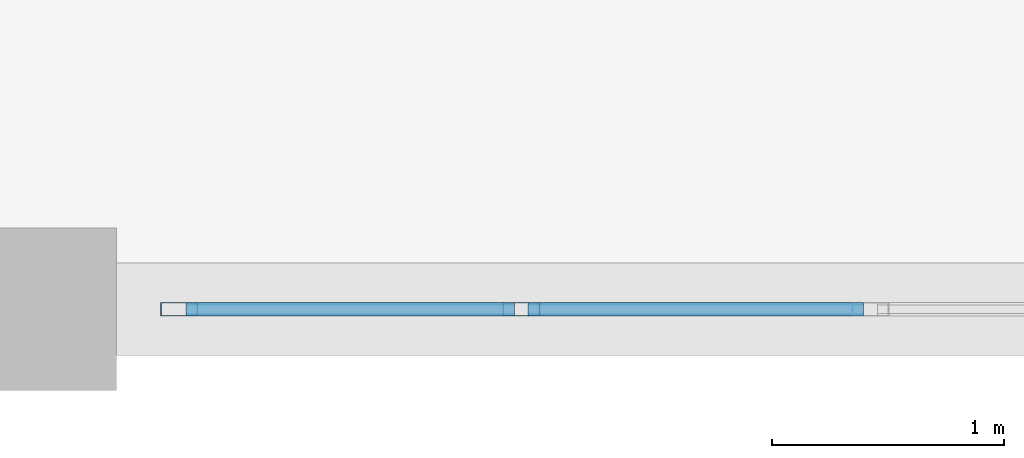
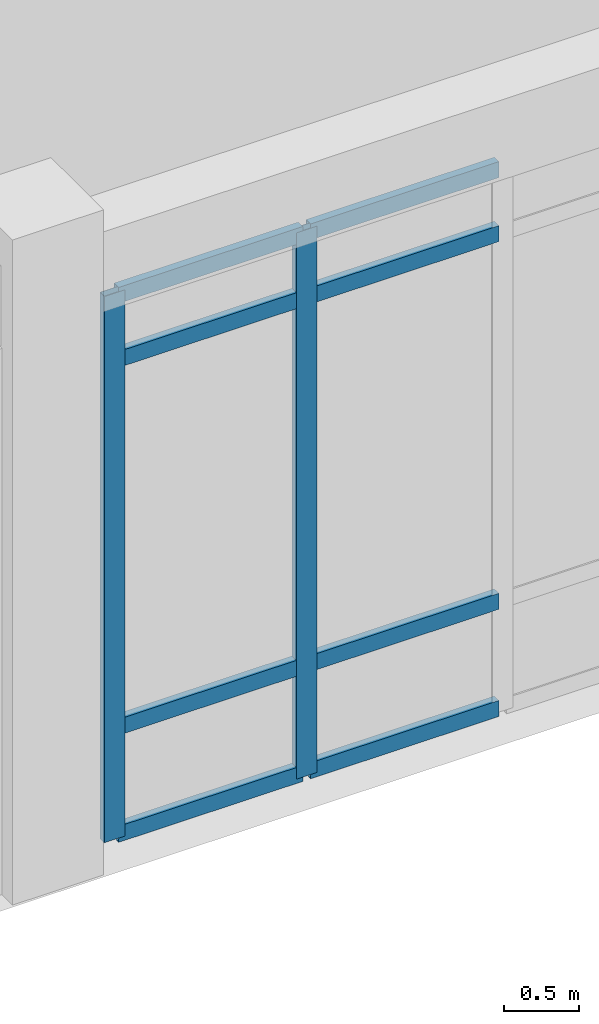
# One storey, part 14 of 102: 10 members, 1 element without a shape of its own.
"""IFC4 building model written with IfcOpenShell, lengths in metres."""

from ifc_helpers import new_model, si_unit, direction, frame, origin, origin_2d, place, context, subcontext, project, spatial, hollow_rectangle, extrude, material, layer, layer_set, material_profile, profile_set, type_object, element, aggregate, save


model = new_model("IFC4")

# Units and contexts
model_context = context("Model", 3, precision=1e-05, world=origin(), true_north=direction((0.0, 1.0)))
body_context = subcontext(model_context, "Body", "Model", "MODEL_VIEW")
ifc_project = project(units=[si_unit("LENGTHUNIT", "METRE"), si_unit("AREAUNIT", "SQUARE_METRE"), si_unit("VOLUMEUNIT", "CUBIC_METRE"), si_unit("PLANEANGLEUNIT", "RADIAN"), si_unit("MASSUNIT", "GRAM", prefix="KILO")], contexts=[model_context])

# Site, building, storey
site_placement = place(None, origin())
site = spatial("IfcSite", under=ifc_project, at=site_placement, CompositionType="ELEMENT")
building_placement = place(site_placement, origin())
building = spatial("IfcBuilding", under=site, at=building_placement, Name="Carrowvane Square Congress Hotel", CompositionType="ELEMENT")
storey_placement = place(building_placement, origin())
storey = spatial("IfcBuildingStorey", under=building, at=storey_placement, Name="L00", CompositionType="ELEMENT", Elevation=0.0)

# Curtain wall, members
ifc_material_1 = material(Name="Anodised aluminium", Category="aluminium")
ifc_layer = layer(ifc_material_1, 0.23388671875)
ifc_layer_set = layer_set([ifc_layer], Name="Anodised aluminium")
curtain_wall_type = type_object("IfcCurtainWallType", Name="CW-SYS-7", PredefinedType="NOTDEFINED", material=ifc_layer_set)
curtain_wall_placement = place(storey_placement, origin())
curtain_wall = element("IfcCurtainWall", 1, at=curtain_wall_placement, inside=storey, type_object=curtain_wall_type, Name="L00 unitised curtain wall 62", PredefinedType="NOTDEFINED")
ifc_material_2 = material(Name="Anodised aluminium", Category="aluminium")
ifc_material_profile_1 = material_profile(ifc_material_2, hollow_rectangle(XDim=0.06005859375, YDim=0.159912109375, WallThickness=0.00390625, at=origin_2d()), Name="CW-ML 60x160x4")
ifc_profile_set_1 = profile_set([ifc_material_profile_1], Name="Anodised aluminium")
member_type_1 = type_object("IfcMemberType", Name="CW-MUL-1", PredefinedType="MULLION", material=ifc_profile_set_1)
member_1_placement = place(storey_placement, frame((42.4951171875, 5.39990234375, 0.0), z_axis=(0.0, 0.0, 1.0), x_axis=(0.0, -1.0, 0.0)))
member_1 = element("IfcMember", 2, at=member_1_placement, type_object=member_type_1, Name="CW-7 mullion 4", PredefinedType="MULLION", context=body_context, shape_type="SweptSolid", body=[
    extrude(hollow_rectangle(XDim=0.06005859375, YDim=0.159912109375, WallThickness=0.00390625, at=origin_2d()), origin(), (0.0, 0.0, 1.0), 4.43505859375),
])
member_2_placement = place(storey_placement, frame((41.02001953125, 5.39990234375, 0.0), z_axis=(0.0, 0.0, 1.0), x_axis=(0.0, -1.0, 0.0)))
member_2 = element("IfcMember", 3, at=member_2_placement, type_object=member_type_1, Name="CW-7 mullion 5", PredefinedType="MULLION", context=body_context, shape_type="SweptSolid", body=[
    extrude(hollow_rectangle(XDim=0.06005859375, YDim=0.159912109375, WallThickness=0.00390625, at=origin_2d()), origin(), (0.0, 0.0, 1.0), 4.43505859375),
])
ifc_material_3 = material(Name="Anodised aluminium", Category="aluminium")
ifc_material_profile_2 = material_profile(ifc_material_3, hollow_rectangle(XDim=0.06005859375, YDim=0.1298828125, WallThickness=0.00390625, at=origin_2d()), Name="CW-TR 60x130x4")
ifc_profile_set_2 = profile_set([ifc_material_profile_2], Name="Anodised aluminium")
member_type_2 = type_object("IfcMemberType", Name="CW-TRN-1", PredefinedType="USERDEFINED", material=ifc_profile_set_2)
member_3_placement = place(storey_placement, frame((43.969970703125, 5.39990234375, 0.030029296875), z_axis=(-1.0, 0.0, 0.0), x_axis=(0.0, -1.0, 0.0)))
member_3 = element("IfcMember", 4, at=member_3_placement, type_object=member_type_2, Name="CW-7 transom 3.1", ObjectType="TRANSOM", PredefinedType="USERDEFINED", context=body_context, shape_type="SweptSolid", body=[
    extrude(hollow_rectangle(XDim=0.06005859375, YDim=0.1298828125, WallThickness=0.00390625, at=origin_2d()), origin(), (0.0, 0.0, 1.0), 1.445068359375),
])
member_4_placement = place(storey_placement, frame((43.969970703125, 5.39990234375, 0.89990234375), z_axis=(-1.0, 0.0, 0.0), x_axis=(0.0, -1.0, 0.0)))
member_4 = element("IfcMember", 5, at=member_4_placement, type_object=member_type_2, Name="CW-7 transom 3.2", ObjectType="TRANSOM", PredefinedType="USERDEFINED", context=body_context, shape_type="SweptSolid", body=[
    extrude(hollow_rectangle(XDim=0.06005859375, YDim=0.1298828125, WallThickness=0.00390625, at=origin_2d()), origin(), (0.0, 0.0, 1.0), 1.445068359375),
])
member_5_placement = place(storey_placement, frame((43.969970703125, 5.39990234375, 3.885009765625), z_axis=(-1.0, 0.0, 0.0), x_axis=(0.0, -1.0, 0.0)))
member_5 = element("IfcMember", 6, at=member_5_placement, type_object=member_type_2, Name="CW-7 transom 3.3", ObjectType="TRANSOM", PredefinedType="USERDEFINED", context=body_context, shape_type="SweptSolid", body=[
    extrude(hollow_rectangle(XDim=0.06005859375, YDim=0.1298828125, WallThickness=0.00390625, at=origin_2d()), origin(), (0.0, 0.0, 1.0), 1.445068359375),
])
member_6_placement = place(storey_placement, frame((43.969970703125, 5.39990234375, 4.405029296875), z_axis=(-1.0, 0.0, 0.0), x_axis=(0.0, -1.0, 0.0)))
member_6 = element("IfcMember", 7, at=member_6_placement, type_object=member_type_2, Name="CW-7 transom 3.4", ObjectType="TRANSOM", PredefinedType="USERDEFINED", context=body_context, shape_type="SweptSolid", body=[
    extrude(hollow_rectangle(XDim=0.06005859375, YDim=0.1298828125, WallThickness=0.00390625, at=origin_2d()), origin(), (0.0, 0.0, 1.0), 1.445068359375),
])
member_7_placement = place(storey_placement, frame((42.465087890625, 5.39990234375, 0.030029296875), z_axis=(-1.0, 0.0, 0.0), x_axis=(0.0, -1.0, 0.0)))
member_7 = element("IfcMember", 8, at=member_7_placement, type_object=member_type_2, Name="CW-7 transom 4.1", ObjectType="TRANSOM", PredefinedType="USERDEFINED", context=body_context, shape_type="SweptSolid", body=[
    extrude(hollow_rectangle(XDim=0.06005859375, YDim=0.1298828125, WallThickness=0.00390625, at=origin_2d()), origin(), (0.0, 0.0, 1.0), 1.4150390625),
])
member_8_placement = place(storey_placement, frame((42.465087890625, 5.39990234375, 0.89990234375), z_axis=(-1.0, 0.0, 0.0), x_axis=(0.0, -1.0, 0.0)))
member_8 = element("IfcMember", 9, at=member_8_placement, type_object=member_type_2, Name="CW-7 transom 4.2", ObjectType="TRANSOM", PredefinedType="USERDEFINED", context=body_context, shape_type="SweptSolid", body=[
    extrude(hollow_rectangle(XDim=0.06005859375, YDim=0.1298828125, WallThickness=0.00390625, at=origin_2d()), origin(), (0.0, 0.0, 1.0), 1.4150390625),
])
member_9_placement = place(storey_placement, frame((42.465087890625, 5.39990234375, 3.885009765625), z_axis=(-1.0, 0.0, 0.0), x_axis=(0.0, -1.0, 0.0)))
member_9 = element("IfcMember", 10, at=member_9_placement, type_object=member_type_2, Name="CW-7 transom 4.3", ObjectType="TRANSOM", PredefinedType="USERDEFINED", context=body_context, shape_type="SweptSolid", body=[
    extrude(hollow_rectangle(XDim=0.06005859375, YDim=0.1298828125, WallThickness=0.00390625, at=origin_2d()), origin(), (0.0, 0.0, 1.0), 1.4150390625),
])
member_10_placement = place(storey_placement, frame((42.465087890625, 5.39990234375, 4.405029296875), z_axis=(-1.0, 0.0, 0.0), x_axis=(0.0, -1.0, 0.0)))
member_10 = element("IfcMember", 11, at=member_10_placement, type_object=member_type_2, Name="CW-7 transom 4.4", ObjectType="TRANSOM", PredefinedType="USERDEFINED", context=body_context, shape_type="SweptSolid", body=[
    extrude(hollow_rectangle(XDim=0.06005859375, YDim=0.1298828125, WallThickness=0.00390625, at=origin_2d()), origin(), (0.0, 0.0, 1.0), 1.4150390625),
])
aggregate(curtain_wall, [member_1, member_2, member_3, member_4, member_5, member_6, member_7, member_8, member_9, member_10])

save(model, "model.ifc")
